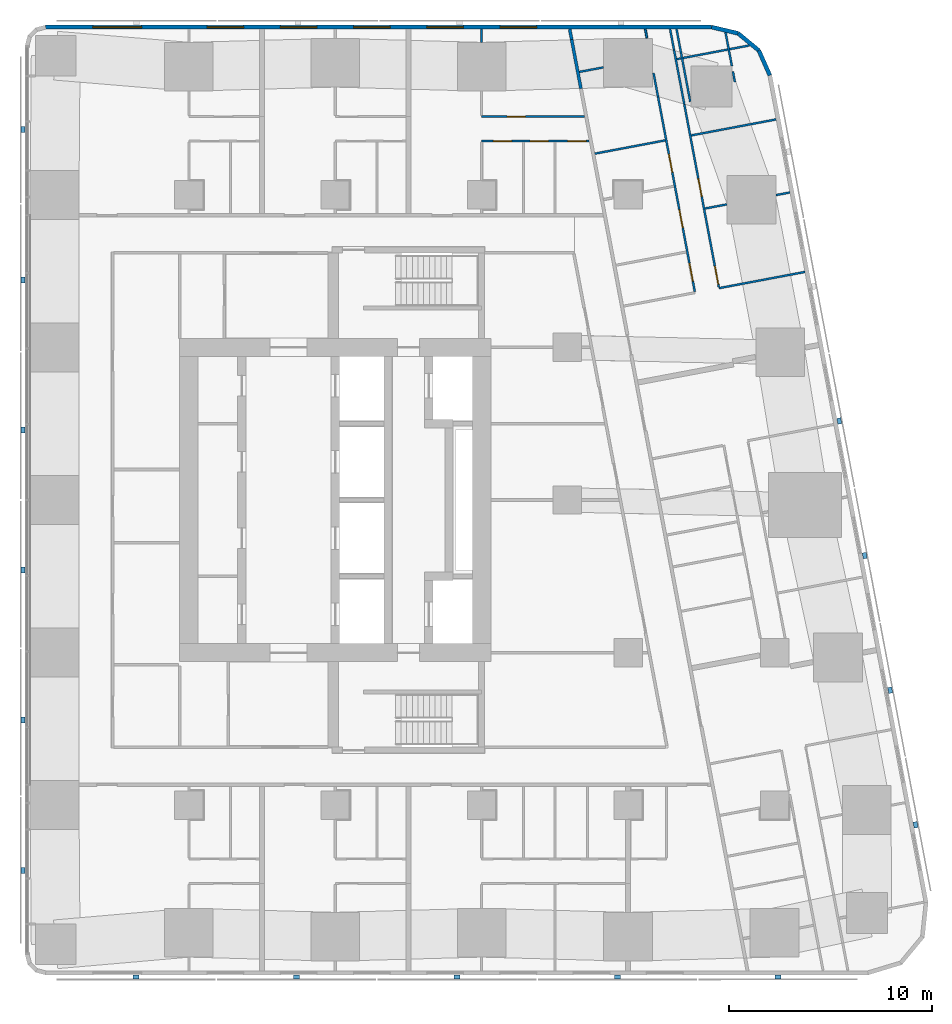
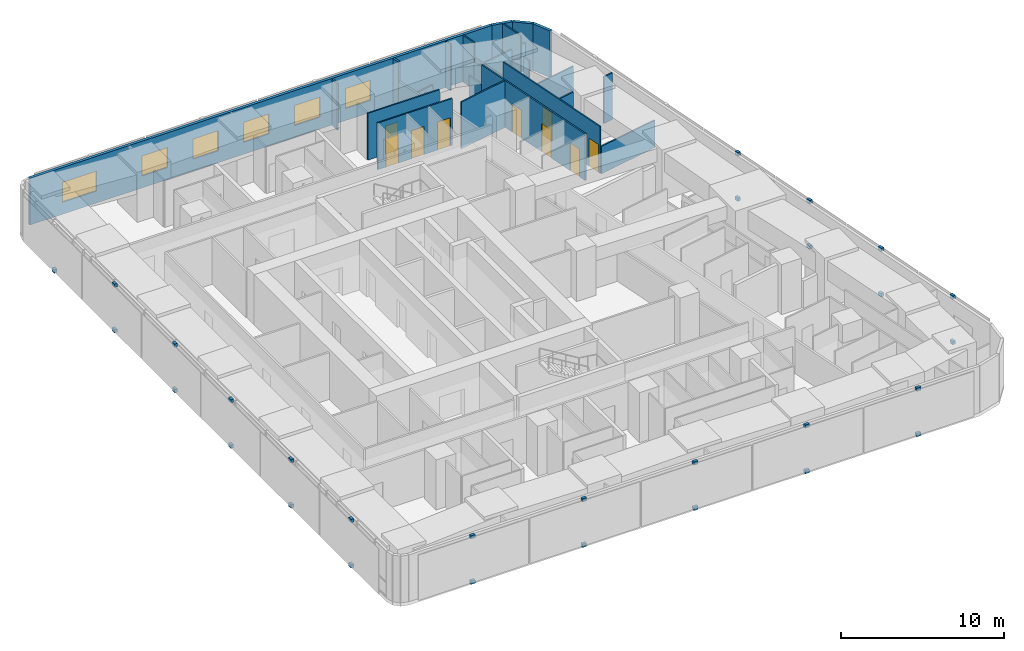
# One storey, part 14 of 17: 29 discrete accessories, 25 walls, 9 doors, 6 windows, 15 openings.
"""IFC4 building model written with IfcOpenShell, lengths in metres."""

from ifc_helpers import new_model, si_unit, direction, frame, frame_2d, origin, origin_2d, place, context, subcontext, project, spatial, rectangle, extrude, material, layer, layer_set, type_object, element, fill, save


model = new_model("IFC4")

# Units and contexts
model_context = context("Model", 3, precision=1e-05, world=origin(), true_north=direction((0.0, 1.0)))
body_context = subcontext(model_context, "Body", "Model", "MODEL_VIEW")
ifc_project = project(units=[si_unit("LENGTHUNIT", "METRE"), si_unit("AREAUNIT", "SQUARE_METRE"), si_unit("VOLUMEUNIT", "CUBIC_METRE"), si_unit("PLANEANGLEUNIT", "RADIAN"), si_unit("MASSUNIT", "GRAM", prefix="KILO")], contexts=[model_context])

# Site, building, storey
site_placement = place(None, origin())
site = spatial("IfcSite", under=ifc_project, at=site_placement, CompositionType="ELEMENT")
building_placement = place(site_placement, origin())
building = spatial("IfcBuilding", under=site, at=building_placement, Name="Sheger Commons Tower", CompositionType="ELEMENT")
storey_placement = place(building_placement, frame((0.0, 0.0, 208.699951171875)))
storey = spatial("IfcBuildingStorey", under=building, at=storey_placement, Name="L53", CompositionType="ELEMENT", Elevation=208.699951171875)

# Walls
ifc_material_1 = material(Name="Hollow concrete block masonry, skimmed both sides", Category="masonry")
ifc_layer_1 = layer(ifc_material_1, 0.14990234375)
ifc_layer_set_1 = layer_set([ifc_layer_1], Name="CORRIDOR WALL 150")
wall_type_1 = type_object("IfcWallType", Name="CORRIDOR WALL 150", PredefinedType="SOLIDWALL", material=ifc_layer_set_1)
wall_1_placement = place(storey_placement, frame((33.126953125, 45.64990234375, 0.0), z_axis=(0.0, 0.0, 1.0), x_axis=(0.185441815104, -0.982655246366, 0.0)))
element("IfcWall", 1, at=wall_1_placement, inside=storey, type_object=wall_type_1, Name="Corridor wall L53", PredefinedType="SOLIDWALL", context=body_context, shape_type="SweptSolid", body=[
    extrude(rectangle(XDim=0.52392578125, YDim=0.14990234375, at=frame_2d((0.261962890625, 0.0))), origin(), (0.0, 0.0, 1.0), 3.5),
])
wall_2_placement = place(storey_placement, frame((33.22412109375, 45.135009765625, 0.0), z_axis=(0.0, 0.0, 1.0), x_axis=(0.185681462868, -0.982609990967, 0.0)))
element("IfcWall", 2, at=wall_2_placement, inside=storey, type_object=wall_type_1, Name="Corridor wall L53", PredefinedType="SOLIDWALL", context=body_context, shape_type="SweptSolid", body=[
    extrude(rectangle(XDim=2.454833984375, YDim=0.14990234375, at=frame_2d((1.2275390625, 0.0))), origin(), (0.0, 0.0, 1.0), 2.050048828125),
])
ifc_material_2 = material(Name="Rendered concrete block masonry, dark grey", Category="masonry")
ifc_layer_2 = layer(ifc_material_2, 0.199951171875)
ifc_layer_set_2 = layer_set([ifc_layer_2], Name="FACADE WALL 200")
wall_type_2 = type_object("IfcWallType", Name="FACADE WALL 200", PredefinedType="SOLIDWALL", material=ifc_layer_set_2)
wall_3_placement = place(storey_placement, frame((42.969970703125, 43.376953125, 0.0), z_axis=(0.0, 0.0, 1.0), x_axis=(-0.406002956633, 0.913871762998, 0.0)))
element("IfcWall", 3, at=wall_3_placement, inside=storey, type_object=wall_type_2, Name="Facade wall L53", PredefinedType="SOLIDWALL", context=body_context, shape_type="SweptSolid", body=[
    extrude(rectangle(XDim=1.33740234375, YDim=0.199951171875, at=frame_2d((0.668701171875, 0.0))), origin(), (0.0, 0.0, 1.0), 3.5),
])
wall_4_placement = place(storey_placement, frame((42.427001953125, 44.59912109375, 0.0), z_axis=(0.0, 0.0, 1.0), x_axis=(-0.770091412544, 0.637933551655, 0.0)))
element("IfcWall", 4, at=wall_4_placement, inside=storey, type_object=wall_type_2, Name="Facade wall L53", PredefinedType="SOLIDWALL", context=body_context, shape_type="SweptSolid", body=[
    extrude(rectangle(XDim=1.324462890625, YDim=0.199951171875, at=frame_2d((0.662109375, 0.0))), origin(), (0.0, 0.0, 1.0), 3.5),
])
wall_5_placement = place(storey_placement, frame((41.406982421875, 45.444091796875, 0.0), z_axis=(0.0, 0.0, 1.0), x_axis=(-0.973453091607, 0.228886606077, 0.0)))
element("IfcWall", 5, at=wall_5_placement, inside=storey, type_object=wall_type_2, Name="Facade wall L53", PredefinedType="SOLIDWALL", context=body_context, shape_type="SweptSolid", body=[
    extrude(rectangle(XDim=1.33642578125, YDim=0.199951171875, at=frame_2d((0.668212890625, 0.0))), origin(), (0.0, 0.0, 1.0), 3.5),
])

# Wall, openings, windows
wall_6_placement = place(storey_placement, frame((40.10595703125, 45.75, 0.0), z_axis=(0.0, 0.0, 1.0), x_axis=(-1.0, 0.0, 0.0)))
wall_6 = element("IfcWall", 6, at=wall_6_placement, inside=storey, type_object=wall_type_2, Name="Facade wall L53", PredefinedType="SOLIDWALL", context=body_context, shape_type="SweptSolid", body=[
    extrude(rectangle(XDim=32.742919921875, YDim=0.199951171875, at=frame_2d((16.37158203125, 0.0))), origin(), (0.0, 0.0, 1.0), 3.5),
])
opening_1_placement = place(wall_6_placement, frame((8.60595703125, 0.0, 0.89990234375)))
opening_1 = element("IfcOpeningElement", 7, at=opening_1_placement, cuts=wall_6, Name="Opening W2", PredefinedType="OPENING", context=body_context, shape_type="SweptSolid", body=[
    extrude(rectangle(XDim=1.800048828125, YDim=1.5, at=frame_2d((0.89990234375, 0.75))), frame((0.0, 0.10986328125, 0.0), z_axis=(0.0, -1.0, 0.0), x_axis=(1.0, 0.0, 0.0)), (0.0, 0.0, 1.0), 0.219970703125),
])
opening_2_placement = place(wall_6_placement, frame((12.2060546875, 0.0, 0.89990234375)))
opening_2 = element("IfcOpeningElement", 8, at=opening_2_placement, cuts=wall_6, Name="Opening W2", PredefinedType="OPENING", context=body_context, shape_type="SweptSolid", body=[
    extrude(rectangle(XDim=1.800048828125, YDim=1.5, at=frame_2d((0.89990234375, 0.75))), frame((0.0, 0.10986328125, 0.0), z_axis=(0.0, -1.0, 0.0), x_axis=(1.0, 0.0, 0.0)), (0.0, 0.0, 1.0), 0.219970703125),
])
opening_3_placement = place(wall_6_placement, frame((15.805908203125, 0.0, 0.89990234375)))
opening_3 = element("IfcOpeningElement", 9, at=opening_3_placement, cuts=wall_6, Name="Opening W2", PredefinedType="OPENING", context=body_context, shape_type="SweptSolid", body=[
    extrude(rectangle(XDim=1.800048828125, YDim=1.5, at=frame_2d((0.89990234375, 0.75))), frame((0.0, 0.10986328125, 0.0), z_axis=(0.0, -1.0, 0.0), x_axis=(1.0, 0.0, 0.0)), (0.0, 0.0, 1.0), 0.219970703125),
])
opening_4_placement = place(wall_6_placement, frame((19.406005859375, 0.0, 0.89990234375)))
opening_4 = element("IfcOpeningElement", 10, at=opening_4_placement, cuts=wall_6, Name="Opening W2", PredefinedType="OPENING", context=body_context, shape_type="SweptSolid", body=[
    extrude(rectangle(XDim=1.800048828125, YDim=1.5, at=frame_2d((0.89990234375, 0.75))), frame((0.0, 0.10986328125, 0.0), z_axis=(0.0, -1.0, 0.0), x_axis=(1.0, 0.0, 0.0)), (0.0, 0.0, 1.0), 0.219970703125),
])
opening_5_placement = place(wall_6_placement, frame((23.006103515625, 0.0, 0.89990234375)))
opening_5 = element("IfcOpeningElement", 11, at=opening_5_placement, cuts=wall_6, Name="Opening W2", PredefinedType="OPENING", context=body_context, shape_type="SweptSolid", body=[
    extrude(rectangle(XDim=1.800048828125, YDim=1.5, at=frame_2d((0.89990234375, 0.75))), frame((0.0, 0.10986328125, 0.0), z_axis=(0.0, -1.0, 0.0), x_axis=(1.0, 0.0, 0.0)), (0.0, 0.0, 1.0), 0.219970703125),
])
opening_6_placement = place(wall_6_placement, frame((28.02490234375, 0.0, 0.89990234375)))
opening_6 = element("IfcOpeningElement", 12, at=opening_6_placement, cuts=wall_6, Name="Opening W1", PredefinedType="OPENING", context=body_context, shape_type="SweptSolid", body=[
    extrude(rectangle(XDim=2.39990234375, YDim=1.5, at=frame_2d((1.199951171875, 0.75))), frame((0.0, 0.10986328125, 0.0), z_axis=(0.0, -1.0, 0.0), x_axis=(1.0, 0.0, 0.0)), (0.0, 0.0, 1.0), 0.219970703125),
])
ifc_material_3 = material(Name="Black aluminium frame, dark tinted double glazing", Category="aluminium")
window_type_1 = type_object("IfcWindowType", Name="WINDOW W1 2400x1500", PartitioningType="SINGLE_PANEL", PredefinedType="WINDOW", material=ifc_material_3)
window_1_placement = place(opening_6_placement, origin())
window_1 = element("IfcWindow", 13, at=window_1_placement, inside=storey, type_object=window_type_1, Name="Window W1 2400X1500", OverallHeight=1.5, OverallWidth=2.39990234375, PartitioningType="SINGLE_PANEL", PredefinedType="WINDOW", context=body_context, shape_type="SweptSolid", body=[
    extrude(rectangle(XDim=2.39990234375, YDim=1.5, at=frame_2d((1.199951171875, 0.75))), frame((0.0, 0.030029296875, 0.0), z_axis=(0.0, -1.0, 0.0), x_axis=(1.0, 0.0, 0.0)), (0.0, 0.0, 1.0), 0.06005859375),
])
fill(opening_6, window_1)
ifc_material_4 = material(Name="Black aluminium frame, dark tinted double glazing", Category="aluminium")
window_type_2 = type_object("IfcWindowType", Name="WINDOW W2 1800x1500", PartitioningType="SINGLE_PANEL", PredefinedType="WINDOW", material=ifc_material_4)
window_2_placement = place(opening_1_placement, origin())
window_2 = element("IfcWindow", 14, at=window_2_placement, inside=storey, type_object=window_type_2, Name="Window W2 1800X1500", OverallHeight=1.5, OverallWidth=1.800048828125, PartitioningType="SINGLE_PANEL", PredefinedType="WINDOW", context=body_context, shape_type="SweptSolid", body=[
    extrude(rectangle(XDim=1.800048828125, YDim=1.5, at=frame_2d((0.89990234375, 0.75))), frame((0.0, 0.030029296875, 0.0), z_axis=(0.0, -1.0, 0.0), x_axis=(1.0, 0.0, 0.0)), (0.0, 0.0, 1.0), 0.06005859375),
])
fill(opening_1, window_2)
window_3_placement = place(opening_2_placement, origin())
window_3 = element("IfcWindow", 15, at=window_3_placement, inside=storey, type_object=window_type_2, Name="Window W2 1800X1500", OverallHeight=1.5, OverallWidth=1.800048828125, PartitioningType="SINGLE_PANEL", PredefinedType="WINDOW", context=body_context, shape_type="SweptSolid", body=[
    extrude(rectangle(XDim=1.800048828125, YDim=1.5, at=frame_2d((0.89990234375, 0.75))), frame((0.0, 0.030029296875, 0.0), z_axis=(0.0, -1.0, 0.0), x_axis=(1.0, 0.0, 0.0)), (0.0, 0.0, 1.0), 0.06005859375),
])
fill(opening_2, window_3)
window_4_placement = place(opening_3_placement, origin())
window_4 = element("IfcWindow", 16, at=window_4_placement, inside=storey, type_object=window_type_2, Name="Window W2 1800X1500", OverallHeight=1.5, OverallWidth=1.800048828125, PartitioningType="SINGLE_PANEL", PredefinedType="WINDOW", context=body_context, shape_type="SweptSolid", body=[
    extrude(rectangle(XDim=1.800048828125, YDim=1.5, at=frame_2d((0.89990234375, 0.75))), frame((0.0, 0.030029296875, 0.0), z_axis=(0.0, -1.0, 0.0), x_axis=(1.0, 0.0, 0.0)), (0.0, 0.0, 1.0), 0.06005859375),
])
fill(opening_3, window_4)
window_5_placement = place(opening_4_placement, origin())
window_5 = element("IfcWindow", 17, at=window_5_placement, inside=storey, type_object=window_type_2, Name="Window W2 1800X1500", OverallHeight=1.5, OverallWidth=1.800048828125, PartitioningType="SINGLE_PANEL", PredefinedType="WINDOW", context=body_context, shape_type="SweptSolid", body=[
    extrude(rectangle(XDim=1.800048828125, YDim=1.5, at=frame_2d((0.89990234375, 0.75))), frame((0.0, 0.030029296875, 0.0), z_axis=(0.0, -1.0, 0.0), x_axis=(1.0, 0.0, 0.0)), (0.0, 0.0, 1.0), 0.06005859375),
])
fill(opening_4, window_5)
window_6_placement = place(opening_5_placement, origin())
window_6 = element("IfcWindow", 18, at=window_6_placement, inside=storey, type_object=window_type_2, Name="Window W2 1800X1500", OverallHeight=1.5, OverallWidth=1.800048828125, PartitioningType="SINGLE_PANEL", PredefinedType="WINDOW", context=body_context, shape_type="SweptSolid", body=[
    extrude(rectangle(XDim=1.800048828125, YDim=1.5, at=frame_2d((0.89990234375, 0.75))), frame((0.0, 0.030029296875, 0.0), z_axis=(0.0, -1.0, 0.0), x_axis=(1.0, 0.0, 0.0)), (0.0, 0.0, 1.0), 0.06005859375),
])
fill(opening_5, window_6)

# Walls
ifc_material_5 = material(Name="Gypsum board on steel studs", Category="steel")
ifc_layer_3 = layer(ifc_material_5, 0.10009765625)
ifc_layer_set_3 = layer_set([ifc_layer_3], Name="PARTITION 100")
wall_type_3 = type_object("IfcWallType", Name="PARTITION 100", PredefinedType="PARTITIONING", material=ifc_layer_set_3)
wall_7_placement = place(storey_placement, frame((39.053955078125, 42.0849609375, 0.0), z_axis=(0.0, 0.0, 1.0), x_axis=(-0.185791584218, 0.982589175207, 0.0)))
element("IfcWall", 19, at=wall_7_placement, inside=storey, type_object=wall_type_3, Name="Partition L53", PredefinedType="PARTITIONING", context=body_context, shape_type="SweptSolid", body=[
    extrude(rectangle(XDim=3.628173828125, YDim=0.10009765625, at=frame_2d((1.81396484375, 0.0))), origin(), (0.0, 0.0, 1.0), 2.050048828125),
])
wall_8_placement = place(storey_placement, frame((40.7890625, 45.487060546875, 0.0), z_axis=(0.0, 0.0, 1.0), x_axis=(0.185572395193, -0.982630594955, 0.0)))
element("IfcWall", 20, at=wall_8_placement, inside=storey, type_object=wall_type_3, Name="Partition L53", PredefinedType="PARTITIONING", context=body_context, shape_type="SweptSolid", body=[
    extrude(rectangle(XDim=1.676025390625, YDim=0.10009765625, at=frame_2d((0.837890625, 0.0))), origin(), (0.0, 0.0, 1.0), 3.5),
])
wall_9_placement = place(storey_placement, frame((41.15087890625, 43.569091796875, 0.0), z_axis=(0.0, 0.0, 1.0), x_axis=(0.186563073924, -0.982442985342, 0.0)))
element("IfcWall", 21, at=wall_9_placement, inside=storey, type_object=wall_type_3, Name="Partition L53", PredefinedType="PARTITIONING", context=body_context, shape_type="SweptSolid", body=[
    extrude(rectangle(XDim=0.53125, YDim=0.10009765625, at=frame_2d((0.265625, 0.0))), origin(), (0.0, 0.0, 1.0), 2.050048828125),
])
wall_10_placement = place(storey_placement, frame((38.06298828125, 45.64990234375, 0.0), z_axis=(0.0, 0.0, 1.0), x_axis=(0.185677287841, -0.982610779902, 0.0)))
element("IfcWall", 22, at=wall_10_placement, inside=storey, type_object=wall_type_3, Name="Partition L53", PredefinedType="PARTITIONING", context=body_context, shape_type="SweptSolid", body=[
    extrude(rectangle(XDim=1.0400390625, YDim=0.10009765625, at=frame_2d((0.52001953125, 0.0))), origin(), (0.0, 0.0, 1.0), 3.5),
])
wall_11_placement = place(storey_placement, frame((38.256103515625, 44.6279296875, 0.0), z_axis=(0.0, 0.0, 1.0), x_axis=(0.185700639943, -0.982606366927, 0.0)))
element("IfcWall", 23, at=wall_11_placement, inside=storey, type_object=wall_type_3, Name="Partition L53", PredefinedType="PARTITIONING", context=body_context, shape_type="SweptSolid", body=[
    extrude(rectangle(XDim=2.734619140625, YDim=0.10009765625, at=frame_2d((1.3671875, 0.0))), origin(), (0.0, 0.0, 1.0), 2.050048828125),
])

# Wall, openings, doors
wall_12_placement = place(storey_placement, frame((38.763916015625, 41.94091796875, 0.0), z_axis=(0.0, 0.0, 1.0), x_axis=(0.185548572312, -0.982635093671, 0.0)))
wall_12 = element("IfcWall", 24, at=wall_12_placement, inside=storey, type_object=wall_type_3, Name="Partition L53", PredefinedType="PARTITIONING", context=body_context, shape_type="SweptSolid", body=[
    extrude(rectangle(XDim=9.135498046875, YDim=0.10009765625, at=frame_2d((4.56787109375, 0.0))), origin(), (0.0, 0.0, 1.0), 3.5),
])
opening_7_placement = place(wall_12_placement, frame((8.0849609375, 0.0, 0.0)))
opening_7 = element("IfcOpeningElement", 25, at=opening_7_placement, cuts=wall_12, Name="Opening D2", PredefinedType="OPENING", context=body_context, shape_type="SweptSolid", body=[
    extrude(rectangle(XDim=0.89990234375, YDim=2.10009765625, at=frame_2d((0.449951171875, 1.050048828125))), frame((0.0, 0.06005859375, 0.0), z_axis=(0.0, -1.0, 0.0), x_axis=(1.0, 0.0, 0.0)), (0.0, 0.0, 1.0), 0.1201171875),
])
opening_8_placement = place(wall_12_placement, frame((3.699951171875, 0.0, 0.0)))
opening_8 = element("IfcOpeningElement", 26, at=opening_8_placement, cuts=wall_12, Name="Opening D2", PredefinedType="OPENING", context=body_context, shape_type="SweptSolid", body=[
    extrude(rectangle(XDim=0.89990234375, YDim=2.10009765625, at=frame_2d((0.449951171875, 1.050048828125))), frame((0.0, 0.06005859375, 0.0), z_axis=(0.0, -1.0, 0.0), x_axis=(1.0, 0.0, 0.0)), (0.0, 0.0, 1.0), 0.1201171875),
])
ifc_material_6 = material(Name="Timber door set", Category="wood")
door_type = type_object("IfcDoorType", Name="INTERNAL DOOR 900x2100", OperationType="NOTDEFINED", PredefinedType="DOOR", material=ifc_material_6)
door_1_placement = place(opening_7_placement, origin())
door_1 = element("IfcDoor", 27, at=door_1_placement, inside=storey, type_object=door_type, Name="Main bedroom door", OperationType="SINGLE_SWING_RIGHT", OverallHeight=2.10009765625, OverallWidth=0.89990234375, PredefinedType="DOOR", context=body_context, shape_type="SweptSolid", body=[
    extrude(rectangle(XDim=0.89990234375, YDim=2.10009765625, at=frame_2d((0.449951171875, 1.050048828125))), frame((0.0, 0.02490234375, 0.0), z_axis=(0.0, -1.0, 0.0), x_axis=(1.0, 0.0, 0.0)), (0.0, 0.0, 1.0), 0.050048828125),
])
fill(opening_7, door_1)
door_2_placement = place(opening_8_placement, origin())
door_2 = element("IfcDoor", 28, at=door_2_placement, inside=storey, type_object=door_type, Name="Bedroom 2 door", OperationType="SINGLE_SWING_RIGHT", OverallHeight=2.10009765625, OverallWidth=0.89990234375, PredefinedType="DOOR", context=body_context, shape_type="SweptSolid", body=[
    extrude(rectangle(XDim=0.89990234375, YDim=2.10009765625, at=frame_2d((0.449951171875, 1.050048828125))), frame((0.0, 0.02490234375, 0.0), z_axis=(0.0, -1.0, 0.0), x_axis=(1.0, 0.0, 0.0)), (0.0, 0.0, 1.0), 0.050048828125),
])
fill(opening_8, door_2)

# Walls
wall_13_placement = place(storey_placement, frame((36.842041015625, 45.64990234375, 0.0), z_axis=(0.0, 0.0, 1.0), x_axis=(0.185407859198, -0.982661653748, 0.0)))
element("IfcWall", 29, at=wall_13_placement, inside=storey, type_object=wall_type_3, Name="Partition L53", PredefinedType="PARTITIONING", context=body_context, shape_type="SweptSolid", body=[
    extrude(rectangle(XDim=0.44775390625, YDim=0.10009765625, at=frame_2d((0.223876953125, 0.0))), origin(), (0.0, 0.0, 1.0), 3.5),
])
wall_14_placement = place(storey_placement, frame((37.2490234375, 43.492919921875, 0.0), z_axis=(0.0, 0.0, 1.0), x_axis=(0.185817643817, -0.982584247404, 0.0)))
element("IfcWall", 30, at=wall_14_placement, inside=storey, type_object=wall_type_3, Name="Partition L53", PredefinedType="PARTITIONING", context=body_context, shape_type="SweptSolid", body=[
    extrude(rectangle(XDim=1.204833984375, YDim=0.10009765625, at=frame_2d((0.6025390625, 0.0))), origin(), (0.0, 0.0, 1.0), 2.050048828125),
])

# Wall, openings, doors
wall_15_placement = place(storey_placement, frame((37.472900390625, 42.30908203125, 0.0), z_axis=(0.0, 0.0, 1.0), x_axis=(0.185491912953, -0.982645790827, 0.0)))
wall_15 = element("IfcWall", 31, at=wall_15_placement, inside=storey, type_object=wall_type_3, Name="Partition L53", PredefinedType="PARTITIONING", context=body_context, shape_type="SweptSolid", body=[
    extrude(rectangle(XDim=9.737060546875, YDim=0.10009765625, at=frame_2d((4.86865234375, 0.0))), origin(), (0.0, 0.0, 1.0), 3.5),
])
opening_9_placement = place(wall_15_placement, frame((8.31201171875, 0.0, 0.0)))
opening_9 = element("IfcOpeningElement", 32, at=opening_9_placement, cuts=wall_15, Name="Opening D2", PredefinedType="OPENING", context=body_context, shape_type="SweptSolid", body=[
    extrude(rectangle(XDim=0.89990234375, YDim=2.10009765625, at=frame_2d((0.449951171875, 1.050048828125))), frame((0.0, 0.06005859375, 0.0), z_axis=(0.0, -1.0, 0.0), x_axis=(1.0, 0.0, 0.0)), (0.0, 0.0, 1.0), 0.1201171875),
])
opening_10_placement = place(wall_15_placement, frame((2.85302734375, 0.0, 0.0)))
opening_10 = element("IfcOpeningElement", 33, at=opening_10_placement, cuts=wall_15, Name="Opening D2", PredefinedType="OPENING", context=body_context, shape_type="SweptSolid", body=[
    extrude(rectangle(XDim=0.89990234375, YDim=2.10009765625, at=frame_2d((0.449951171875, 1.050048828125))), frame((0.0, 0.06005859375, 0.0), z_axis=(0.0, -1.0, 0.0), x_axis=(1.0, 0.0, 0.0)), (0.0, 0.0, 1.0), 0.1201171875),
])
opening_11_placement = place(wall_15_placement, frame((5.64404296875, 0.0, 0.0)))
opening_11 = element("IfcOpeningElement", 34, at=opening_11_placement, cuts=wall_15, Name="Opening D2", PredefinedType="OPENING", context=body_context, shape_type="SweptSolid", body=[
    extrude(rectangle(XDim=0.89990234375, YDim=2.10009765625, at=frame_2d((0.449951171875, 1.050048828125))), frame((0.0, 0.06005859375, 0.0), z_axis=(0.0, -1.0, 0.0), x_axis=(1.0, 0.0, 0.0)), (0.0, 0.0, 1.0), 0.1201171875),
])
door_3_placement = place(opening_9_placement, origin())
door_3 = element("IfcDoor", 35, at=door_3_placement, inside=storey, type_object=door_type, Name="Bathroom door", OperationType="SINGLE_SWING_LEFT", OverallHeight=2.10009765625, OverallWidth=0.89990234375, PredefinedType="DOOR", context=body_context, shape_type="SweptSolid", body=[
    extrude(rectangle(XDim=0.89990234375, YDim=2.10009765625, at=frame_2d((0.449951171875, 1.050048828125))), frame((0.0, 0.02490234375, 0.0), z_axis=(0.0, -1.0, 0.0), x_axis=(1.0, 0.0, 0.0)), (0.0, 0.0, 1.0), 0.050048828125),
])
fill(opening_9, door_3)
door_4_placement = place(opening_10_placement, origin())
door_4 = element("IfcDoor", 36, at=door_4_placement, inside=storey, type_object=door_type, Name="Laundry room door", OperationType="SINGLE_SWING_LEFT", OverallHeight=2.10009765625, OverallWidth=0.89990234375, PredefinedType="DOOR", context=body_context, shape_type="SweptSolid", body=[
    extrude(rectangle(XDim=0.89990234375, YDim=2.10009765625, at=frame_2d((0.449951171875, 1.050048828125))), frame((0.0, 0.02490234375, 0.0), z_axis=(0.0, -1.0, 0.0), x_axis=(1.0, 0.0, 0.0)), (0.0, 0.0, 1.0), 0.050048828125),
])
fill(opening_10, door_4)
door_5_placement = place(opening_11_placement, origin())
door_5 = element("IfcDoor", 37, at=door_5_placement, inside=storey, type_object=door_type, Name="Store door", OperationType="SINGLE_SWING_LEFT", OverallHeight=2.10009765625, OverallWidth=0.89990234375, PredefinedType="DOOR", context=body_context, shape_type="SweptSolid", body=[
    extrude(rectangle(XDim=0.89990234375, YDim=2.10009765625, at=frame_2d((0.449951171875, 1.050048828125))), frame((0.0, 0.02490234375, 0.0), z_axis=(0.0, -1.0, 0.0), x_axis=(1.0, 0.0, 0.0)), (0.0, 0.0, 1.0), 0.050048828125),
])
fill(opening_11, door_5)

# Walls
wall_16_placement = place(storey_placement, frame((41.968017578125, 44.85009765625, 0.0), z_axis=(0.0, 0.0, 1.0), x_axis=(-0.98258614234, -0.185807623311, 0.0)))
element("IfcWall", 38, at=wall_16_placement, inside=storey, type_object=wall_type_3, Name="Partition L53", PredefinedType="PARTITIONING", context=body_context, shape_type="SweptSolid", body=[
    extrude(rectangle(XDim=3.638427734375, YDim=0.10009765625, at=frame_2d((1.8193359375, 0.0))), origin(), (0.0, 0.0, 1.0), 2.050048828125),
])
wall_17_placement = place(storey_placement, frame((43.277099609375, 41.2119140625, 0.0), z_axis=(0.0, 0.0, 1.0), x_axis=(-0.982665405803, -0.185387972203, 0.0)))
element("IfcWall", 39, at=wall_17_placement, inside=storey, type_object=wall_type_3, Name="Partition L53", PredefinedType="PARTITIONING", context=body_context, shape_type="SweptSolid", body=[
    extrude(rectangle(XDim=4.249755859375, YDim=0.10009765625, at=frame_2d((2.125, 0.0))), origin(), (0.0, 0.0, 1.0), 2.050048828125),
])
wall_18_placement = place(storey_placement, frame((43.955078125, 37.6201171875, 0.0), z_axis=(0.0, 0.0, 1.0), x_axis=(-0.982495415327, -0.186286765128, 0.0)))
element("IfcWall", 40, at=wall_18_placement, inside=storey, type_object=wall_type_3, Name="Partition L53", PredefinedType="PARTITIONING", context=body_context, shape_type="SweptSolid", body=[
    extrude(rectangle(XDim=0.693359375, YDim=0.10009765625, at=frame_2d((0.3466796875, 0.0))), origin(), (0.0, 0.0, 1.0), 3.5),
])
wall_19_placement = place(storey_placement, frame((40.85400390625, 37.033935546875, 0.0), z_axis=(0.0, 0.0, 1.0), x_axis=(-0.982651678759, -0.185460718839, 0.0)))
element("IfcWall", 41, at=wall_19_placement, inside=storey, type_object=wall_type_3, Name="Partition L53", PredefinedType="PARTITIONING", context=body_context, shape_type="SweptSolid", body=[
    extrude(rectangle(XDim=1.093994140625, YDim=0.10009765625, at=frame_2d((0.546875, 0.0))), origin(), (0.0, 0.0, 1.0), 3.5),
])
wall_20_placement = place(storey_placement, frame((44.693115234375, 33.712890625, 0.0), z_axis=(0.0, 0.0, 1.0), x_axis=(-0.982633535512, -0.185556823879, 0.0)))
element("IfcWall", 42, at=wall_20_placement, inside=storey, type_object=wall_type_3, Name="Partition L53", PredefinedType="PARTITIONING", context=body_context, shape_type="SweptSolid", body=[
    extrude(rectangle(XDim=4.2998046875, YDim=0.10009765625, at=frame_2d((2.14990234375, 0.0))), origin(), (0.0, 0.0, 1.0), 2.050048828125),
])
wall_21_placement = place(storey_placement, frame((34.7900390625, 43.77099609375, 0.0), z_axis=(0.0, 0.0, 1.0), x_axis=(-0.982730261052, -0.18504387051, 0.0)))
element("IfcWall", 43, at=wall_21_placement, inside=storey, type_object=wall_type_3, Name="Partition L53", PredefinedType="PARTITIONING", context=body_context, shape_type="SweptSolid", body=[
    extrude(rectangle(XDim=1.2099609375, YDim=0.10009765625, at=frame_2d((0.60498046875, 0.0))), origin(), (0.0, 0.0, 1.0), 2.050048828125),
])
wall_22_placement = place(storey_placement, frame((37.822998046875, 40.181884765625, 0.0), z_axis=(0.0, 0.0, 1.0), x_axis=(-0.98263926043, -0.185526504472, 0.0)))
element("IfcWall", 44, at=wall_22_placement, inside=storey, type_object=wall_type_3, Name="Partition L53", PredefinedType="PARTITIONING", context=body_context, shape_type="SweptSolid", body=[
    extrude(rectangle(XDim=3.524169921875, YDim=0.10009765625, at=frame_2d((1.76220703125, 0.0))), origin(), (0.0, 0.0, 1.0), 3.5),
])

# Wall, opening, door
wall_23_placement = place(storey_placement, frame((28.800048828125, 41.35009765625, 0.0), z_axis=(0.0, 0.0, 1.0), x_axis=(1.0, 0.0, 0.0)))
wall_23 = element("IfcWall", 45, at=wall_23_placement, inside=storey, type_object=wall_type_3, Name="Partition L53", PredefinedType="PARTITIONING", context=body_context, shape_type="SweptSolid", body=[
    extrude(rectangle(XDim=5.052978515625, YDim=0.10009765625, at=frame_2d((2.5263671875, 0.0))), origin(), (0.0, 0.0, 1.0), 3.5),
])
opening_12_placement = place(wall_23_placement, frame((1.25, 0.0, 0.0)))
opening_12 = element("IfcOpeningElement", 46, at=opening_12_placement, cuts=wall_23, Name="Opening D2", PredefinedType="OPENING", context=body_context, shape_type="SweptSolid", body=[
    extrude(rectangle(XDim=0.89990234375, YDim=2.10009765625, at=frame_2d((0.449951171875, 1.050048828125))), frame((0.0, 0.06005859375, 0.0), z_axis=(0.0, -1.0, 0.0), x_axis=(1.0, 0.0, 0.0)), (0.0, 0.0, 1.0), 0.1201171875),
])
door_6_placement = place(opening_12_placement, origin())
door_6 = element("IfcDoor", 47, at=door_6_placement, inside=storey, type_object=door_type, Name="Main bedroom door", OperationType="SINGLE_SWING_RIGHT", OverallHeight=2.10009765625, OverallWidth=0.89990234375, PredefinedType="DOOR", context=body_context, shape_type="SweptSolid", body=[
    extrude(rectangle(XDim=0.89990234375, YDim=2.10009765625, at=frame_2d((0.449951171875, 1.050048828125))), frame((0.0, 0.02490234375, 0.0), z_axis=(0.0, -1.0, 0.0), x_axis=(1.0, 0.0, 0.0)), (0.0, 0.0, 1.0), 0.050048828125),
])
fill(opening_12, door_6)

# Wall, openings, doors
wall_24_placement = place(storey_placement, frame((28.800048828125, 40.14990234375, 0.0), z_axis=(0.0, 0.0, 1.0), x_axis=(1.0, 0.0, 0.0)))
wall_24 = element("IfcWall", 48, at=wall_24_placement, inside=storey, type_object=wall_type_3, Name="Partition L53", PredefinedType="PARTITIONING", context=body_context, shape_type="SweptSolid", body=[
    extrude(rectangle(XDim=5.280029296875, YDim=0.10009765625, at=frame_2d((2.64013671875, 0.0))), origin(), (0.0, 0.0, 1.0), 3.5),
])
opening_13_placement = place(wall_24_placement, frame((0.574951171875, 0.0, 0.0)))
opening_13 = element("IfcOpeningElement", 49, at=opening_13_placement, cuts=wall_24, Name="Opening D2", PredefinedType="OPENING", context=body_context, shape_type="SweptSolid", body=[
    extrude(rectangle(XDim=0.89990234375, YDim=2.10009765625, at=frame_2d((0.449951171875, 1.050048828125))), frame((0.0, 0.06005859375, 0.0), z_axis=(0.0, -1.0, 0.0), x_axis=(1.0, 0.0, 0.0)), (0.0, 0.0, 1.0), 0.1201171875),
])
opening_14_placement = place(wall_24_placement, frame((4.22998046875, 0.0, 0.0)))
opening_14 = element("IfcOpeningElement", 50, at=opening_14_placement, cuts=wall_24, Name="Opening D2", PredefinedType="OPENING", context=body_context, shape_type="SweptSolid", body=[
    extrude(rectangle(XDim=0.89990234375, YDim=2.10009765625, at=frame_2d((0.449951171875, 1.050048828125))), frame((0.0, 0.06005859375, 0.0), z_axis=(0.0, -1.0, 0.0), x_axis=(1.0, 0.0, 0.0)), (0.0, 0.0, 1.0), 0.1201171875),
])
opening_15_placement = place(wall_24_placement, frame((2.375, 0.0, 0.0)))
opening_15 = element("IfcOpeningElement", 51, at=opening_15_placement, cuts=wall_24, Name="Opening D2", PredefinedType="OPENING", context=body_context, shape_type="SweptSolid", body=[
    extrude(rectangle(XDim=0.89990234375, YDim=2.10009765625, at=frame_2d((0.449951171875, 1.050048828125))), frame((0.0, 0.06005859375, 0.0), z_axis=(0.0, -1.0, 0.0), x_axis=(1.0, 0.0, 0.0)), (0.0, 0.0, 1.0), 0.1201171875),
])
door_7_placement = place(opening_13_placement, origin())
door_7 = element("IfcDoor", 52, at=door_7_placement, inside=storey, type_object=door_type, Name="Bathroom door", OperationType="SINGLE_SWING_RIGHT", OverallHeight=2.10009765625, OverallWidth=0.89990234375, PredefinedType="DOOR", context=body_context, shape_type="SweptSolid", body=[
    extrude(rectangle(XDim=0.89990234375, YDim=2.10009765625, at=frame_2d((0.449951171875, 1.050048828125))), frame((0.0, 0.02490234375, 0.0), z_axis=(0.0, -1.0, 0.0), x_axis=(1.0, 0.0, 0.0)), (0.0, 0.0, 1.0), 0.050048828125),
])
fill(opening_13, door_7)
door_8_placement = place(opening_14_placement, origin())
door_8 = element("IfcDoor", 53, at=door_8_placement, inside=storey, type_object=door_type, Name="Laundry room door", OperationType="SINGLE_SWING_LEFT", OverallHeight=2.10009765625, OverallWidth=0.89990234375, PredefinedType="DOOR", context=body_context, shape_type="SweptSolid", body=[
    extrude(rectangle(XDim=0.89990234375, YDim=2.10009765625, at=frame_2d((0.449951171875, 1.050048828125))), frame((0.0, 0.02490234375, 0.0), z_axis=(0.0, -1.0, 0.0), x_axis=(1.0, 0.0, 0.0)), (0.0, 0.0, 1.0), 0.050048828125),
])
fill(opening_14, door_8)
door_9_placement = place(opening_15_placement, origin())
door_9 = element("IfcDoor", 54, at=door_9_placement, inside=storey, type_object=door_type, Name="Store door", OperationType="SINGLE_SWING_LEFT", OverallHeight=2.10009765625, OverallWidth=0.89990234375, PredefinedType="DOOR", context=body_context, shape_type="SweptSolid", body=[
    extrude(rectangle(XDim=0.89990234375, YDim=2.10009765625, at=frame_2d((0.449951171875, 1.050048828125))), frame((0.0, 0.02490234375, 0.0), z_axis=(0.0, -1.0, 0.0), x_axis=(1.0, 0.0, 0.0)), (0.0, 0.0, 1.0), 0.050048828125),
])
fill(opening_15, door_9)

# Wall
wall_25_placement = place(storey_placement, frame((28.800048828125, 45.0009765625, 0.0), z_axis=(0.0, 0.0, 1.0), x_axis=(0.0, 1.0, 0.0)))
element("IfcWall", 55, at=wall_25_placement, inside=storey, type_object=wall_type_3, Name="Partition L53", PredefinedType="PARTITIONING", context=body_context, shape_type="SweptSolid", body=[
    extrude(rectangle(XDim=0.64892578125, YDim=0.10009765625, at=frame_2d((0.324462890625, 0.0))), origin(), (0.0, 0.0, 1.0), 3.5),
])

# Discrete accessories
ifc_material_7 = material(Name="Black painted steel bracket", Category="steel")
discrete_accessory_type = type_object("IfcDiscreteAccessoryType", Name="SCREEN BRACKET 300x200x250", PredefinedType="BRACKET", material=ifc_material_7)
for number, where, z_axis, x_axis, name in (
    (56, (11.7958984375, -0.949951171875, -0.099853515625), (0.0, 0.0, 1.0), (1.0, 0.0, 0.0), "Solar screen foot bracket"),
    (57, (11.7958984375, -0.949951171875, 3.300048828125), (0.0, 0.0, 1.0), (1.0, 0.0, 0.0), "Solar screen head bracket"),
    (58, (19.68701171875, -0.949951171875, -0.099853515625), (0.0, 0.0, 1.0), (1.0, 0.0, 0.0), "Solar screen foot bracket"),
    (59, (19.68701171875, -0.949951171875, 3.300048828125), (0.0, 0.0, 1.0), (1.0, 0.0, 0.0), "Solar screen head bracket"),
    (60, (27.577880859375, -0.949951171875, -0.099853515625), (0.0, 0.0, 1.0), (1.0, 0.0, 0.0), "Solar screen foot bracket"),
    (61, (27.577880859375, -0.949951171875, 3.300048828125), (0.0, 0.0, 1.0), (1.0, 0.0, 0.0), "Solar screen head bracket"),
    (62, (35.468994140625, -0.949951171875, -0.099853515625), (0.0, 0.0, 1.0), (1.0, 0.0, 0.0), "Solar screen foot bracket"),
    (63, (35.468994140625, -0.949951171875, 3.300048828125), (0.0, 0.0, 1.0), (1.0, 0.0, 0.0), "Solar screen head bracket"),
    (64, (43.360107421875, -0.949951171875, -0.099853515625), (0.0, 0.0, 1.0), (1.0, 0.0, 0.0), "Solar screen foot bracket"),
    (65, (43.360107421875, -0.949951171875, 3.300048828125), (0.0, 0.0, 1.0), (1.0, 0.0, 0.0), "Solar screen head bracket"),
    (66, (50.134033203125, 6.527099609375, -0.099853515625), (0.0, 0.0, 1.0), (-0.185615165645, 0.982622516678, 0.0), "Solar screen foot bracket"),
    (67, (50.134033203125, 6.527099609375, 3.300048828125), (0.0, 0.0, 1.0), (-0.185615165645, 0.982622516678, 0.0), "Solar screen head bracket"),
    (68, (48.884033203125, 13.14599609375, -0.099853515625), (0.0, 0.0, 1.0), (-0.185615165645, 0.982622516678, 0.0), "Solar screen foot bracket"),
    (69, (48.884033203125, 13.14599609375, 3.300048828125), (0.0, 0.0, 1.0), (-0.185615165645, 0.982622516678, 0.0), "Solar screen head bracket"),
    (70, (47.633056640625, 19.76611328125, -0.099853515625), (0.0, 0.0, 1.0), (-0.185615165645, 0.982622516678, 0.0), "Solar screen foot bracket"),
    (71, (47.633056640625, 19.76611328125, 3.300048828125), (0.0, 0.0, 1.0), (-0.185615165645, 0.982622516678, 0.0), "Solar screen head bracket"),
    (72, (46.383056640625, 26.385009765625, -0.099853515625), (0.0, 0.0, 1.0), (-0.185615165645, 0.982622516678, 0.0), "Solar screen foot bracket"),
    (73, (46.383056640625, 26.385009765625, 3.300048828125), (0.0, 0.0, 1.0), (-0.185615165645, 0.982622516678, 0.0), "Solar screen head bracket"),
    (74, (6.25, 40.7080078125, -0.099853515625), (0.0, 0.0, 1.0), (0.0, -1.0, 0.0), "Solar screen foot bracket"),
    (75, (6.25, 33.324951171875, -0.099853515625), (0.0, 0.0, 1.0), (0.0, -1.0, 0.0), "Solar screen foot bracket"),
    (76, (6.25, 33.324951171875, 3.300048828125), (0.0, 0.0, 1.0), (0.0, -1.0, 0.0), "Solar screen head bracket"),
    (77, (6.25, 25.94189453125, -0.099853515625), (0.0, 0.0, 1.0), (0.0, -1.0, 0.0), "Solar screen foot bracket"),
    (78, (6.25, 25.94189453125, 3.300048828125), (0.0, 0.0, 1.0), (0.0, -1.0, 0.0), "Solar screen head bracket"),
    (79, (6.25, 19.05810546875, -0.099853515625), (0.0, 0.0, 1.0), (0.0, -1.0, 0.0), "Solar screen foot bracket"),
    (80, (6.25, 19.05810546875, 3.300048828125), (0.0, 0.0, 1.0), (0.0, -1.0, 0.0), "Solar screen head bracket"),
    (81, (6.25, 11.675048828125, -0.099853515625), (0.0, 0.0, 1.0), (0.0, -1.0, 0.0), "Solar screen foot bracket"),
    (82, (6.25, 11.675048828125, 3.300048828125), (0.0, 0.0, 1.0), (0.0, -1.0, 0.0), "Solar screen head bracket"),
    (83, (6.25, 4.2919921875, -0.099853515625), (0.0, 0.0, 1.0), (0.0, -1.0, 0.0), "Solar screen foot bracket"),
    (84, (6.25, 4.2919921875, 3.300048828125), (0.0, 0.0, 1.0), (0.0, -1.0, 0.0), "Solar screen head bracket"),
):
    element("IfcDiscreteAccessory", number, at=place(storey_placement, frame(where, z_axis=z_axis, x_axis=x_axis)), inside=storey, type_object=discrete_accessory_type, Name=name, PredefinedType="BRACKET", context=body_context, shape_type="SweptSolid", body=[
        extrude(rectangle(XDim=0.300048828125, YDim=0.199951171875, at=origin_2d()), origin(), (0.0, 0.0, 1.0), 0.25),
    ])

save(model, "model.ifc")
